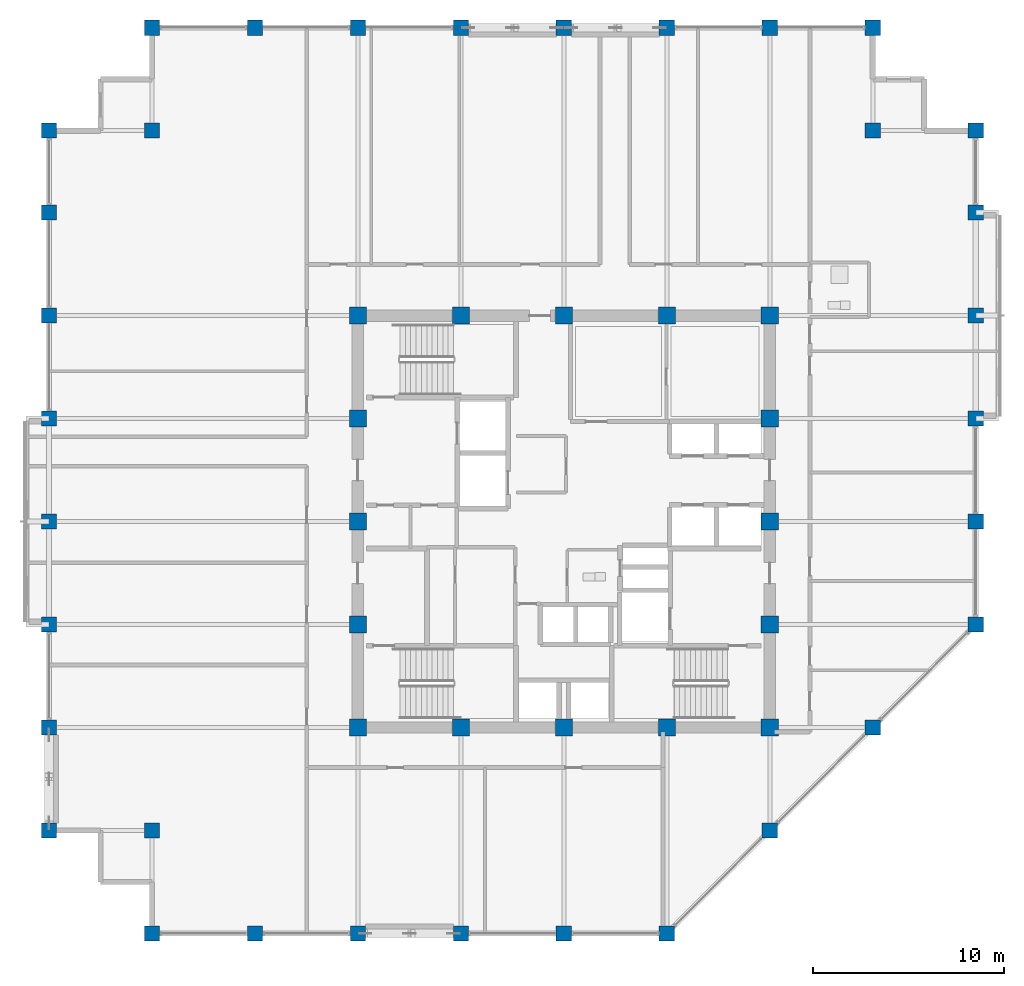
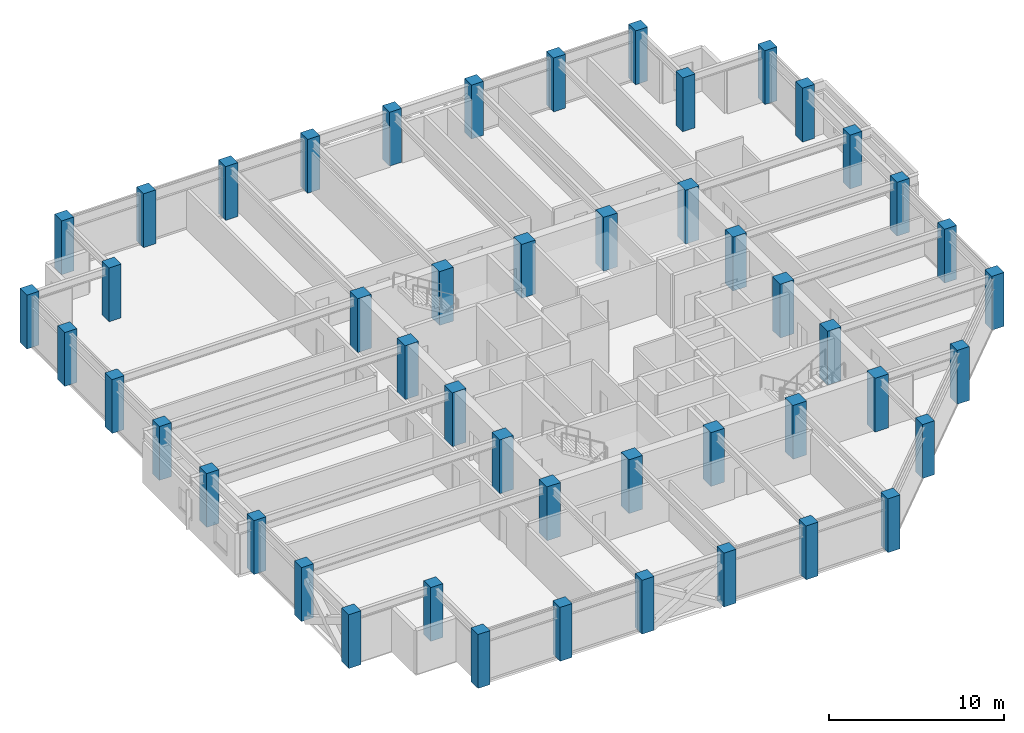
# One storey, part 1 of 30: 49 columns.
"""IFC4 building model written with IfcOpenShell, lengths in metres."""

from ifc_helpers import new_model, si_unit, direction, frame, origin, origin_2d, place, context, subcontext, project, spatial, rectangle, extrude, material, material_profile, profile_set, type_object, element, save


model = new_model("IFC4")

# Units and contexts
model_context = context("Model", 3, precision=1e-05, world=origin(), true_north=direction((0.0, 1.0)))
body_context = subcontext(model_context, "Body", "Model", "MODEL_VIEW")
ifc_project = project(units=[si_unit("LENGTHUNIT", "METRE"), si_unit("AREAUNIT", "SQUARE_METRE"), si_unit("VOLUMEUNIT", "CUBIC_METRE"), si_unit("PLANEANGLEUNIT", "RADIAN"), si_unit("MASSUNIT", "GRAM", prefix="KILO")], contexts=[model_context])

# Site, building, storey
site_placement = place(None, origin())
site = spatial("IfcSite", under=ifc_project, at=site_placement, CompositionType="ELEMENT")
building_placement = place(site_placement, origin())
building = spatial("IfcBuilding", under=site, at=building_placement, Name="Surkhivell Harbour Commons", CompositionType="ELEMENT")
storey_placement = place(building_placement, frame((0.0, 0.0, 231.0)))
storey = spatial("IfcBuildingStorey", under=building, at=storey_placement, Name="L60", CompositionType="ELEMENT", Elevation=231.0)

# Columns
ifc_material_1 = material(Name="Concrete C60/75", Category="concrete")
ifc_material_profile_1 = material_profile(ifc_material_1, rectangle(XDim=0.89990234375, YDim=0.89990234375, at=origin_2d()), Name="RC-COL-900x900")
ifc_profile_set_1 = profile_set([ifc_material_profile_1], Name="Concrete C60/75")
column_type_1 = type_object("IfcColumnType", Name="COL-TUBE-Z3A", PredefinedType="COLUMN", material=ifc_profile_set_1)
for number, where, z_axis, x_axis, name in (
    (1, (-10.800048828125, -10.800048828125, 0.0), (0.0, 0.0, 1.0), (1.0, 0.0, 0.0), "L60 Column CT-3A (-10.8,-10.8)"),
    (2, (-10.800048828125, -5.39990234375, 0.0), (0.0, 0.0, 1.0), (1.0, 0.0, 0.0), "L60 Column CT-3A (-10.8,-5.4)"),
    (3, (-10.800048828125, 0.0, 0.0), (0.0, 0.0, 1.0), (1.0, 0.0, 0.0), "L60 Column CT-3A (-10.8,0.0)"),
    (4, (-10.800048828125, 5.39990234375, 0.0), (0.0, 0.0, 1.0), (1.0, 0.0, 0.0), "L60 Column CT-3A (-10.8,5.4)"),
    (5, (-10.800048828125, 10.800048828125, 0.0), (0.0, 0.0, 1.0), (1.0, 0.0, 0.0), "L60 Column CT-3A (-10.8,10.8)"),
    (6, (-5.39990234375, -10.800048828125, 0.0), (0.0, 0.0, 1.0), (1.0, 0.0, 0.0), "L60 Column CT-3A (-5.4,-10.8)"),
    (7, (-5.39990234375, 10.800048828125, 0.0), (0.0, 0.0, 1.0), (1.0, 0.0, 0.0), "L60 Column CT-3A (-5.4,10.8)"),
    (8, (0.0, -10.800048828125, 0.0), (0.0, 0.0, 1.0), (1.0, 0.0, 0.0), "L60 Column CT-3A (0.0,-10.8)"),
    (9, (0.0, 10.800048828125, 0.0), (0.0, 0.0, 1.0), (1.0, 0.0, 0.0), "L60 Column CT-3A (0.0,10.8)"),
    (10, (5.39990234375, -10.800048828125, 0.0), (0.0, 0.0, 1.0), (1.0, 0.0, 0.0), "L60 Column CT-3A (5.4,-10.8)"),
    (11, (5.39990234375, 10.800048828125, 0.0), (0.0, 0.0, 1.0), (1.0, 0.0, 0.0), "L60 Column CT-3A (5.4,10.8)"),
    (12, (10.800048828125, -10.800048828125, 0.0), (0.0, 0.0, 1.0), (1.0, 0.0, 0.0), "L60 Column CT-3A (10.8,-10.8)"),
    (13, (10.800048828125, -5.39990234375, 0.0), (0.0, 0.0, 1.0), (1.0, 0.0, 0.0), "L60 Column CT-3A (10.8,-5.4)"),
    (14, (10.800048828125, 0.0, 0.0), (0.0, 0.0, 1.0), (1.0, 0.0, 0.0), "L60 Column CT-3A (10.8,0.0)"),
    (15, (10.800048828125, 5.39990234375, 0.0), (0.0, 0.0, 1.0), (1.0, 0.0, 0.0), "L60 Column CT-3A (10.8,5.4)"),
    (16, (10.800048828125, 10.800048828125, 0.0), (0.0, 0.0, 1.0), (1.0, 0.0, 0.0), "L60 Column CT-3A (10.8,10.8)"),
):
    element("IfcColumn", number, at=place(storey_placement, frame(where, z_axis=z_axis, x_axis=x_axis)), inside=storey, type_object=column_type_1, Name=name, PredefinedType="COLUMN", context=body_context, shape_type="SweptSolid", body=[
        extrude(rectangle(XDim=0.89990234375, YDim=0.89990234375, at=origin_2d()), origin(), (0.0, 0.0, 1.0), 3.75),
    ])
ifc_material_2 = material(Name="Concrete C50/60", Category="concrete")
ifc_material_profile_2 = material_profile(ifc_material_2, rectangle(XDim=0.800048828125, YDim=0.800048828125, at=origin_2d()), Name="RC-COL-800x800")
ifc_profile_set_2 = profile_set([ifc_material_profile_2], Name="Concrete C50/60")
column_type_2 = type_object("IfcColumnType", Name="COL-TUBE-Z3B", PredefinedType="COLUMN", material=ifc_profile_set_2)
for number, where, z_axis, x_axis, name in (
    (17, (-27.0, -16.199951171875, 0.0), (0.0, 0.0, 1.0), (1.0, 0.0, 0.0), "L60 Column CT-3B (-27.0,-16.2)"),
    (18, (-27.0, -10.800048828125, 0.0), (0.0, 0.0, 1.0), (1.0, 0.0, 0.0), "L60 Column CT-3B (-27.0,-10.8)"),
    (19, (-27.0, -5.39990234375, 0.0), (0.0, 0.0, 1.0), (1.0, 0.0, 0.0), "L60 Column CT-3B (-27.0,-5.4)"),
    (20, (-27.0, 0.0, 0.0), (0.0, 0.0, 1.0), (1.0, 0.0, 0.0), "L60 Column CT-3B (-27.0,0.0)"),
    (21, (-27.0, 5.39990234375, 0.0), (0.0, 0.0, 1.0), (1.0, 0.0, 0.0), "L60 Column CT-3B (-27.0,5.4)"),
    (22, (-27.0, 10.800048828125, 0.0), (0.0, 0.0, 1.0), (1.0, 0.0, 0.0), "L60 Column CT-3B (-27.0,10.8)"),
    (23, (-27.0, 16.199951171875, 0.0), (0.0, 0.0, 1.0), (1.0, 0.0, 0.0), "L60 Column CT-3B (-27.0,16.2)"),
    (24, (-27.0, 20.5, 0.0), (0.0, 0.0, 1.0), (1.0, 0.0, 0.0), "L60 Column CT-3B (-27.0,20.5)"),
    (25, (-21.60009765625, -21.60009765625, 0.0), (0.0, 0.0, 1.0), (1.0, 0.0, 0.0), "L60 Column CT-3B (-21.6,-21.6)"),
    (26, (-21.60009765625, -16.199951171875, 0.0), (0.0, 0.0, 1.0), (1.0, 0.0, 0.0), "L60 Column CT-3B (-21.6,-16.2)"),
    (27, (-21.60009765625, 20.5, 0.0), (0.0, 0.0, 1.0), (1.0, 0.0, 0.0), "L60 Column CT-3B (-21.6,20.5)"),
    (28, (-21.60009765625, 25.89990234375, 0.0), (0.0, 0.0, 1.0), (1.0, 0.0, 0.0), "L60 Column CT-3B (-21.6,25.9)"),
    (29, (-16.199951171875, -21.60009765625, 0.0), (0.0, 0.0, 1.0), (1.0, 0.0, 0.0), "L60 Column CT-3B (-16.2,-21.6)"),
    (30, (-16.199951171875, 25.89990234375, 0.0), (0.0, 0.0, 1.0), (1.0, 0.0, 0.0), "L60 Column CT-3B (-16.2,25.9)"),
    (31, (-10.800048828125, -21.60009765625, 0.0), (0.0, 0.0, 1.0), (1.0, 0.0, 0.0), "L60 Column CT-3B (-10.8,-21.6)"),
    (32, (-10.800048828125, 25.89990234375, 0.0), (0.0, 0.0, 1.0), (1.0, 0.0, 0.0), "L60 Column CT-3B (-10.8,25.9)"),
    (33, (-5.39990234375, -21.60009765625, 0.0), (0.0, 0.0, 1.0), (1.0, 0.0, 0.0), "L60 Column CT-3B (-5.4,-21.6)"),
    (34, (-5.39990234375, 25.89990234375, 0.0), (0.0, 0.0, 1.0), (1.0, 0.0, 0.0), "L60 Column CT-3B (-5.4,25.9)"),
    (35, (0.0, -21.60009765625, 0.0), (0.0, 0.0, 1.0), (1.0, 0.0, 0.0), "L60 Column CT-3B (-0.0,-21.6)"),
    (36, (0.0, 25.89990234375, 0.0), (0.0, 0.0, 1.0), (1.0, 0.0, 0.0), "L60 Column CT-3B (-0.0,25.9)"),
    (37, (5.39990234375, -21.60009765625, 0.0), (0.0, 0.0, 1.0), (1.0, 0.0, 0.0), "L60 Column CT-3B (5.4,-21.6)"),
    (38, (5.39990234375, 25.89990234375, 0.0), (0.0, 0.0, 1.0), (1.0, 0.0, 0.0), "L60 Column CT-3B (5.4,25.9)"),
    (39, (10.800048828125, -16.199951171875, 0.0), (0.0, 0.0, 1.0), (1.0, 0.0, 0.0), "L60 Column CT-3B (10.8,-16.2)"),
    (40, (10.800048828125, 25.89990234375, 0.0), (0.0, 0.0, 1.0), (1.0, 0.0, 0.0), "L60 Column CT-3B (10.8,25.9)"),
    (41, (16.199951171875, -10.800048828125, 0.0), (0.0, 0.0, 1.0), (1.0, 0.0, 0.0), "L60 Column CT-3B (16.2,-10.8)"),
    (42, (16.199951171875, 20.5, 0.0), (0.0, 0.0, 1.0), (1.0, 0.0, 0.0), "L60 Column CT-3B (16.2,20.5)"),
    (43, (16.199951171875, 25.89990234375, 0.0), (0.0, 0.0, 1.0), (1.0, 0.0, 0.0), "L60 Column CT-3B (16.2,25.9)"),
    (44, (21.60009765625, -5.39990234375, 0.0), (0.0, 0.0, 1.0), (1.0, 0.0, 0.0), "L60 Column CT-3B (21.6,-5.4)"),
    (45, (21.60009765625, 0.0, 0.0), (0.0, 0.0, 1.0), (1.0, 0.0, 0.0), "L60 Column CT-3B (21.6,0.0)"),
    (46, (21.60009765625, 5.39990234375, 0.0), (0.0, 0.0, 1.0), (1.0, 0.0, 0.0), "L60 Column CT-3B (21.6,5.4)"),
    (47, (21.60009765625, 10.800048828125, 0.0), (0.0, 0.0, 1.0), (1.0, 0.0, 0.0), "L60 Column CT-3B (21.6,10.8)"),
    (48, (21.60009765625, 16.199951171875, 0.0), (0.0, 0.0, 1.0), (1.0, 0.0, 0.0), "L60 Column CT-3B (21.6,16.2)"),
    (49, (21.60009765625, 20.5, 0.0), (0.0, 0.0, 1.0), (1.0, 0.0, 0.0), "L60 Column CT-3B (21.6,20.5)"),
):
    element("IfcColumn", number, at=place(storey_placement, frame(where, z_axis=z_axis, x_axis=x_axis)), inside=storey, type_object=column_type_2, Name=name, PredefinedType="COLUMN", context=body_context, shape_type="SweptSolid", body=[
        extrude(rectangle(XDim=0.800048828125, YDim=0.800048828125, at=origin_2d()), origin(), (0.0, 0.0, 1.0), 3.75),
    ])

save(model, "model.ifc")
